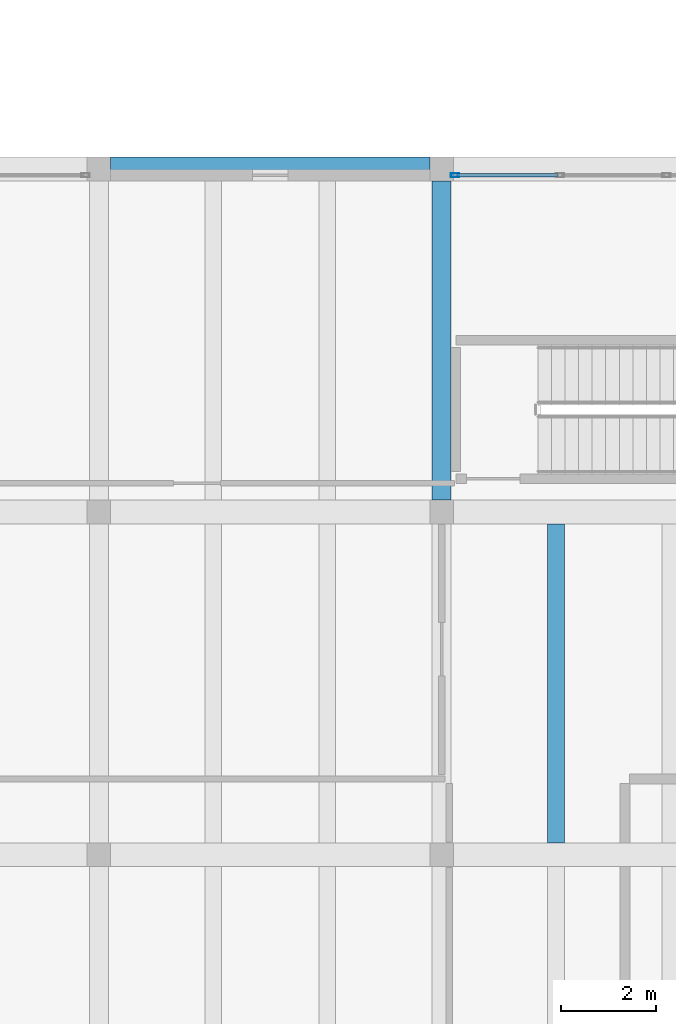
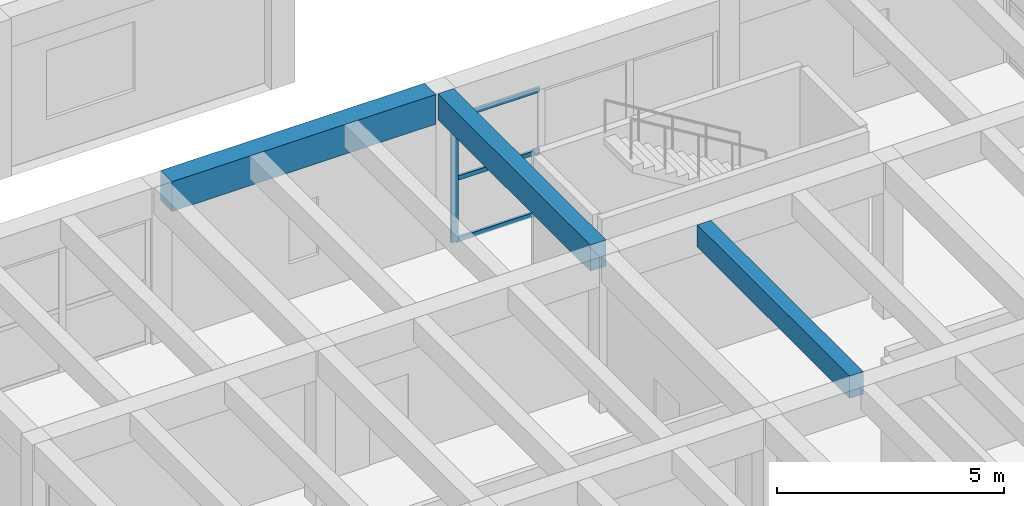
# One storey, part 16 of 153: 4 members, 3 beams, 1 element without a shape of its own.
"""IFC4 building model written with IfcOpenShell, lengths in metres."""

from ifc_helpers import new_model, si_unit, direction, frame, origin, origin_2d, place, context, subcontext, project, spatial, rectangle, hollow_rectangle, extrude, material, material_profile, profile_set, type_object, element, aggregate, save


model = new_model("IFC4")

# Units and contexts
model_context = context("Model", 3, precision=1e-05, world=origin(), true_north=direction((0.0, 1.0)))
body_context = subcontext(model_context, "Body", "Model", "MODEL_VIEW")
ifc_project = project(units=[si_unit("LENGTHUNIT", "METRE"), si_unit("AREAUNIT", "SQUARE_METRE"), si_unit("VOLUMEUNIT", "CUBIC_METRE"), si_unit("PLANEANGLEUNIT", "RADIAN"), si_unit("MASSUNIT", "GRAM", prefix="KILO")], contexts=[model_context])

# Site, building, storey
site_placement = place(None, origin())
site = spatial("IfcSite", under=ifc_project, at=site_placement, CompositionType="ELEMENT")
building_placement = place(site_placement, origin())
building = spatial("IfcBuilding", under=site, at=building_placement, Name="Bramvelor Terrace Health Centre", CompositionType="ELEMENT")
storey_placement = place(building_placement, frame((0.0, 0.0, 4.800048828125)))
storey = spatial("IfcBuildingStorey", under=building, at=storey_placement, Name="L02", CompositionType="ELEMENT", Elevation=4.800048828125)

# Beams
ifc_material_1 = material(Name="Concrete C40/50", Category="concrete")
ifc_material_profile_1 = material_profile(ifc_material_1, rectangle(XDim=0.39990234375, YDim=0.699951171875, at=origin_2d()), Name="RC 400x700")
ifc_profile_set_1 = profile_set([ifc_material_profile_1], Name="Concrete C40/50")
beam_type_1 = type_object("IfcBeamType", Name="BM-RC-G700", PredefinedType="BEAM", material=ifc_profile_set_1)
beam_1_placement = place(storey_placement, frame((14.39990234375, 57.85009765625, 3.849853515625), z_axis=(0.0, 1.0, 0.0), x_axis=(-1.0, 0.0, 0.0)))
element("IfcBeam", 1, at=beam_1_placement, inside=storey, type_object=beam_type_1, Name="L02 Floor Girder", PredefinedType="BEAM", context=body_context, shape_type="SweptSolid", body=[
    extrude(rectangle(XDim=0.39990234375, YDim=0.699951171875, at=origin_2d()), origin(), (0.0, 0.0, 1.0), 6.699951171875),
])
ifc_material_2 = material(Name="Concrete C40/50", Category="concrete")
ifc_material_profile_2 = material_profile(ifc_material_2, rectangle(XDim=0.5, YDim=0.800048828125, at=origin_2d()), Name="RC 500x800")
ifc_profile_set_2 = profile_set([ifc_material_profile_2], Name="Concrete C40/50")
beam_type_2 = type_object("IfcBeamType", Name="BM-RC-G800", PredefinedType="BEAM", material=ifc_profile_set_2)
beam_2_placement = place(storey_placement, frame((7.449951171875, 64.800048828125, 3.800048828125), z_axis=(1.0, 0.0, 0.0), x_axis=(0.0, 1.0, 0.0)))
element("IfcBeam", 2, at=beam_2_placement, inside=storey, type_object=beam_type_2, Name="L02 Floor Girder", PredefinedType="BEAM", context=body_context, shape_type="SweptSolid", body=[
    extrude(rectangle(XDim=0.5, YDim=0.800048828125, at=origin_2d()), origin(), (0.0, 0.0, 1.0), 6.699951171875),
])
ifc_material_3 = material(Name="Concrete C40/50", Category="concrete")
ifc_material_profile_3 = material_profile(ifc_material_3, rectangle(XDim=0.35009765625, YDim=0.60009765625, at=origin_2d()), Name="RC 350x600")
ifc_profile_set_3 = profile_set([ifc_material_profile_3], Name="Concrete C40/50")
beam_type_3 = type_object("IfcBeamType", Name="BM-RC-J600", PredefinedType="JOIST", material=ifc_profile_set_3)
beam_3_placement = place(storey_placement, frame((16.800048828125, 50.64990234375, 3.89990234375), z_axis=(0.0, 1.0, 0.0), x_axis=(-1.0, 0.0, 0.0)))
element("IfcBeam", 3, at=beam_3_placement, inside=storey, type_object=beam_type_3, Name="L02 Secondary Floor Joist", PredefinedType="JOIST", context=body_context, shape_type="SweptSolid", body=[
    extrude(rectangle(XDim=0.35009765625, YDim=0.60009765625, at=origin_2d()), origin(), (0.0, 0.0, 1.0), 6.7001953125),
])

# Curtain wall, members
ifc_material_4 = material(Name="Anodized aluminium and double low-E glass", Category="aluminium")
curtain_wall_type = type_object("IfcCurtainWallType", Name="CW-SYS-16", PredefinedType="NOTDEFINED", material=ifc_material_4)
curtain_wall_placement = place(storey_placement, origin())
curtain_wall = element("IfcCurtainWall", 4, at=curtain_wall_placement, inside=storey, type_object=curtain_wall_type, Name="L02 Unitized Curtain Wall 129", PredefinedType="NOTDEFINED")
ifc_material_5 = material(Name="Anodized aluminium 6063-T6", Category="aluminium")
ifc_material_profile_4 = material_profile(ifc_material_5, hollow_rectangle(XDim=0.074951171875, YDim=0.179931640625, WallThickness=0.00341796875, at=origin_2d()), Name="ALU-MUL 75x180x3.5")
ifc_profile_set_4 = profile_set([ifc_material_profile_4], Name="Anodized aluminium 6063-T6")
member_type_1 = type_object("IfcMemberType", Name="CW-MUL-65x180", PredefinedType="MULLION", material=ifc_profile_set_4)
member_1_placement = place(storey_placement, frame((14.6826171875, 64.669921875, 0.0), z_axis=(0.0, 0.0, 1.0), x_axis=(0.0, 1.0, 0.0)))
member_1 = element("IfcMember", 5, at=member_1_placement, type_object=member_type_1, Name="CW-16 mullion 1", PredefinedType="MULLION", context=body_context, shape_type="SweptSolid", body=[
    extrude(hollow_rectangle(XDim=0.074951171875, YDim=0.179931640625, WallThickness=0.00341796875, at=origin_2d()), origin(), (0.0, 0.0, 1.0), 3.35986328125),
])
ifc_material_6 = material(Name="Anodized aluminium 6063-T6", Category="aluminium")
ifc_material_profile_5 = material_profile(ifc_material_6, hollow_rectangle(XDim=0.06494140625, YDim=0.1201171875, WallThickness=0.0029296875, at=origin_2d()), Name="ALU-TRN 65x120x3.0")
ifc_profile_set_5 = profile_set([ifc_material_profile_5], Name="Anodized aluminium 6063-T6")
member_type_2 = type_object("IfcMemberType", Name="CW-TRN-65x150", PredefinedType="USERDEFINED", material=ifc_profile_set_5)
member_2_placement = place(storey_placement, frame((14.719970703125, 64.669921875, 0.032470703125), z_axis=(1.0, 0.0, 0.0), x_axis=(0.0, 1.0, 0.0)))
member_2 = element("IfcMember", 6, at=member_2_placement, type_object=member_type_2, Name="CW-16 transom 1.1", ObjectType="TRANSOM", PredefinedType="USERDEFINED", context=body_context, shape_type="SweptSolid", body=[
    extrude(hollow_rectangle(XDim=0.06494140625, YDim=0.1201171875, WallThickness=0.0029296875, at=origin_2d()), origin(), (0.0, 0.0, 1.0), 2.124267578125),
])
member_3_placement = place(storey_placement, frame((14.719970703125, 64.669921875, 1.679931640625), z_axis=(1.0, 0.0, 0.0), x_axis=(0.0, 1.0, 0.0)))
member_3 = element("IfcMember", 7, at=member_3_placement, type_object=member_type_2, Name="CW-16 transom 1.2", ObjectType="TRANSOM", PredefinedType="USERDEFINED", context=body_context, shape_type="SweptSolid", body=[
    extrude(hollow_rectangle(XDim=0.06494140625, YDim=0.1201171875, WallThickness=0.0029296875, at=origin_2d()), origin(), (0.0, 0.0, 1.0), 2.124267578125),
])
member_4_placement = place(storey_placement, frame((14.719970703125, 64.669921875, 3.327392578125), z_axis=(1.0, 0.0, 0.0), x_axis=(0.0, 1.0, 0.0)))
member_4 = element("IfcMember", 8, at=member_4_placement, type_object=member_type_2, Name="CW-16 transom 1.3", ObjectType="TRANSOM", PredefinedType="USERDEFINED", context=body_context, shape_type="SweptSolid", body=[
    extrude(hollow_rectangle(XDim=0.06494140625, YDim=0.1201171875, WallThickness=0.0029296875, at=origin_2d()), origin(), (0.0, 0.0, 1.0), 2.124267578125),
])
aggregate(curtain_wall, [member_1, member_2, member_3, member_4])

save(model, "model.ifc")
